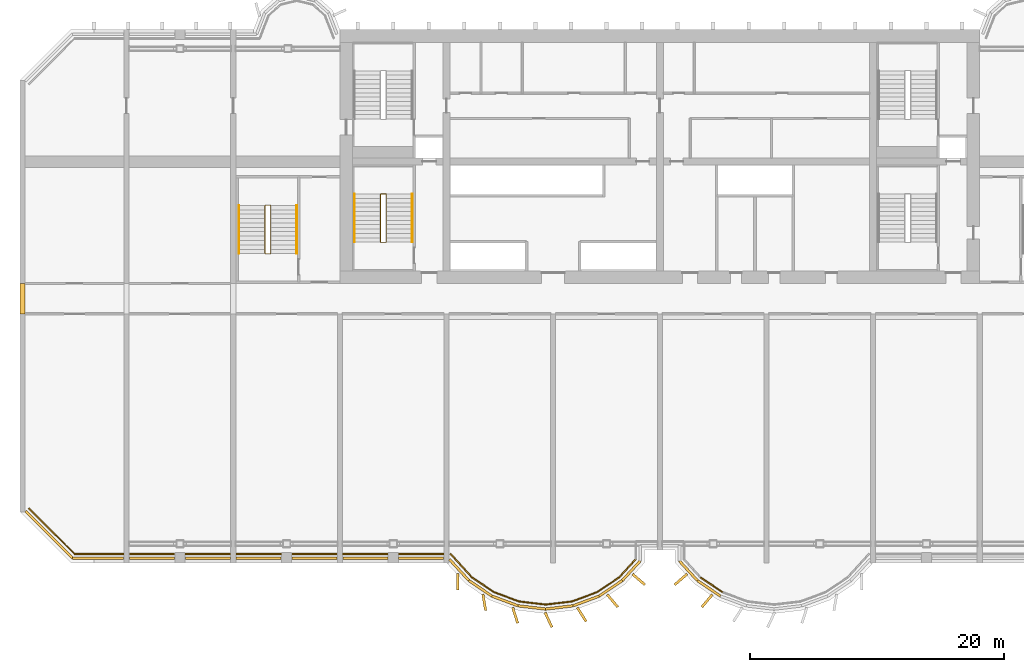
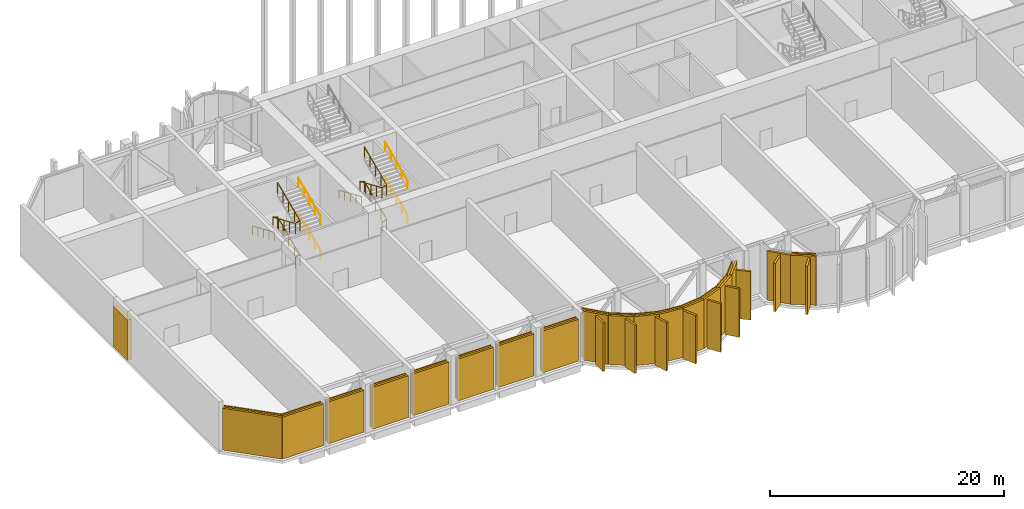
# One storey, part 14 of 17: 26 coverings, 19 shading devices, 8 railings.
"""IFC4 building model written with IfcOpenShell, lengths in metres."""

from ifc_helpers import new_model, si_unit, direction, frame, origin, origin_2d, place, context, subcontext, project, spatial, rectangle, circle, extrude, source, transform, mapped, material, layer, layer_set, material_profile, profile_set, type_object, element, save


model = new_model("IFC4")

# Units and contexts
model_context = context("Model", 3, precision=1e-05, world=origin(), true_north=direction((0.0, 1.0)))
body_context = subcontext(model_context, "Body", "Model", "MODEL_VIEW")
ifc_project = project(units=[si_unit("LENGTHUNIT", "METRE"), si_unit("AREAUNIT", "SQUARE_METRE"), si_unit("VOLUMEUNIT", "CUBIC_METRE"), si_unit("PLANEANGLEUNIT", "RADIAN"), si_unit("MASSUNIT", "GRAM", prefix="KILO")], contexts=[model_context])

# Site, building, storey
site_placement = place(None, origin())
site = spatial("IfcSite", under=ifc_project, at=site_placement, CompositionType="ELEMENT")
building_placement = place(site_placement, origin())
building = spatial("IfcBuilding", under=site, at=building_placement, Name="Vanashikhar Sky Hotel", CompositionType="ELEMENT")
storey_placement = place(building_placement, frame((0.0, 0.0, 81.0)))
storey = spatial("IfcBuildingStorey", under=building, at=storey_placement, Name="L19", CompositionType="ELEMENT", Elevation=81.0)

# Shading devices
ifc_material_1 = material(Name="Aluminium", Category="aluminium")
ifc_layer_1 = layer(ifc_material_1, 0.199951171875)
ifc_layer_set_1 = layer_set([ifc_layer_1], Name="Aluminium louvre band")
shading_device_type = type_object("IfcShadingDeviceType", Name="Aluminium louvre band", PredefinedType="USERDEFINED", material=ifc_layer_set_1)
shared_shape_1 = source(origin(), body_context, "Body", "SweptSolid", [
    extrude(rectangle(XDim=4.02490234375, YDim=0.199951171875, at=origin_2d()), origin(), (0.0, 0.0, 1.0), 4.3701171875),
])
shading_device_1_placement = place(storey_placement, frame((6.157470703125, 0.35009765625, 0.0), z_axis=(0.0, 0.0, 1.0), x_axis=(1.0, 0.0, 0.0)))
element("IfcShadingDevice", 1, at=shading_device_1_placement, inside=storey, type_object=shading_device_type, Name="Louvre band", ObjectType="LOUVRE", PredefinedType="USERDEFINED", context=body_context, shape_type="MappedRepresentation", body=[
    mapped(shared_shape_1, transform((0.0, 0.0, 0.0), scale=1.0)),
])
shared_shape_2 = source(origin(), body_context, "Body", "SweptSolid", [
    extrude(rectangle(XDim=3.5400390625, YDim=0.199951171875, at=origin_2d()), origin(), (0.0, 0.0, 1.0), 4.3701171875),
])
for number, where, z_axis, x_axis, name in (
    (2, (10.39990234375, 0.35009765625, 0.0), (0.0, 0.0, 1.0), (1.0, 0.0, 0.0), "Louvre band"),
    (3, (14.800048828125, 0.35009765625, 0.0), (0.0, 0.0, 1.0), (1.0, 0.0, 0.0), "Louvre band"),
    (4, (18.800048828125, 0.35009765625, 0.0), (0.0, 0.0, 1.0), (1.0, 0.0, 0.0), "Louvre band"),
    (5, (23.199951171875, 0.35009765625, 0.0), (0.0, 0.0, 1.0), (1.0, 0.0, 0.0), "Louvre band"),
    (6, (27.199951171875, 0.35009765625, 0.0), (0.0, 0.0, 1.0), (1.0, 0.0, 0.0), "Louvre band"),
    (7, (31.60009765625, 0.35009765625, 0.0), (0.0, 0.0, 1.0), (1.0, 0.0, 0.0), "Louvre band"),
):
    element("IfcShadingDevice", number, at=place(storey_placement, frame(where, z_axis=z_axis, x_axis=x_axis)), inside=storey, type_object=shading_device_type, Name=name, ObjectType="LOUVRE", PredefinedType="USERDEFINED", context=body_context, shape_type="MappedRepresentation", body=[
        mapped(shared_shape_2, transform((0.0, 0.0, 0.0), scale=1.0)),
    ])
shared_shape_3 = source(origin(), body_context, "Body", "SweptSolid", [
    extrude(rectangle(XDim=2.27001953125, YDim=0.199951171875, at=origin_2d()), origin(), (0.0, 0.0, 1.0), 5.1201171875),
])
shading_device_2_placement = place(storey_placement, frame((34.596435546875, -0.56982421875, 0.0), z_axis=(0.0, 0.0, 1.0), x_axis=(0.675358551774, -0.737489543347, 0.0)))
element("IfcShadingDevice", 8, at=shading_device_2_placement, inside=storey, type_object=shading_device_type, Name="Louvre band", ObjectType="LOUVRE", PredefinedType="USERDEFINED", context=body_context, shape_type="MappedRepresentation", body=[
    mapped(shared_shape_3, transform((0.0, 0.0, 0.0), scale=1.0)),
])
shared_shape_4 = source(origin(), body_context, "Body", "SweptSolid", [
    extrude(rectangle(XDim=2.1875, YDim=0.199951171875, at=origin_2d()), origin(), (0.0, 0.0, 1.0), 5.1201171875),
])
for number, where, z_axis, x_axis, name in (
    (9, (36.2705078125, -2.017578125, 0.0), (0.0, 0.0, 1.0), (0.829583722896, -0.558382348132, 0.0), "Louvre band"),
    (10, (38.203125, -3.0087890625, 0.0), (0.0, 0.0, 1.0), (0.937537254303, -0.347884890149, 0.0), "Louvre band"),
    (11, (44.5966796875, -3.0087890625, 0.0), (0.0, 0.0, 1.0), (0.937537254303, 0.347884890149, 0.0), "Louvre band"),
    (12, (46.529541015625, -2.017578125, 0.0), (0.0, 0.0, 1.0), (0.829583722896, 0.558382348132, 0.0), "Louvre band"),
    (13, (54.2705078125, -2.017578125, 0.0), (0.0, 0.0, 1.0), (0.829583722896, -0.558382348132, 0.0), "Louvre band"),
):
    element("IfcShadingDevice", number, at=place(storey_placement, frame(where, z_axis=z_axis, x_axis=x_axis)), inside=storey, type_object=shading_device_type, Name=name, ObjectType="LOUVRE", PredefinedType="USERDEFINED", context=body_context, shape_type="MappedRepresentation", body=[
        mapped(shared_shape_4, transform((0.0, 0.0, 0.0), scale=1.0)),
    ])
shared_shape_5 = source(origin(), body_context, "Body", "SweptSolid", [
    extrude(rectangle(XDim=2.1865234375, YDim=0.199951171875, at=origin_2d()), origin(), (0.0, 0.0, 1.0), 5.1201171875),
])
for number, where, z_axis, x_axis, name in (
    (14, (40.314453125, -3.5185546875, 0.0), (0.0, 0.0, 1.0), (0.993008838731, -0.118040019495, 0.0), "Louvre band"),
    (15, (42.485595703125, -3.5185546875, 0.0), (0.0, 0.0, 1.0), (0.993008838731, 0.118040019495, 0.0), "Louvre band"),
):
    element("IfcShadingDevice", number, at=place(storey_placement, frame(where, z_axis=z_axis, x_axis=x_axis)), inside=storey, type_object=shading_device_type, Name=name, ObjectType="LOUVRE", PredefinedType="USERDEFINED", context=body_context, shape_type="MappedRepresentation", body=[
        mapped(shared_shape_5, transform((0.0, 0.0, 0.0), scale=1.0)),
    ])
shared_shape_6 = source(origin(), body_context, "Body", "SweptSolid", [
    extrude(rectangle(XDim=2.09228515625, YDim=0.199951171875, at=origin_2d()), origin(), (0.0, 0.0, 1.0), 5.1201171875),
])
for number, where, z_axis, x_axis, name in (
    (16, (48.1435546875, -0.635498046875, 0.0), (0.0, 0.0, 1.0), (0.675384294604, 0.737465968437, 0.0), "Louvre band"),
    (17, (52.656494140625, -0.635498046875, 0.0), (0.0, 0.0, 1.0), (0.675384294604, -0.737465968437, 0.0), "Louvre band"),
):
    element("IfcShadingDevice", number, at=place(storey_placement, frame(where, z_axis=z_axis, x_axis=x_axis)), inside=storey, type_object=shading_device_type, Name=name, ObjectType="LOUVRE", PredefinedType="USERDEFINED", context=body_context, shape_type="MappedRepresentation", body=[
        mapped(shared_shape_6, transform((0.0, 0.0, 0.0), scale=1.0)),
    ])
shared_shape_7 = source(origin(), body_context, "Body", "SweptSolid", [
    extrude(rectangle(XDim=5.25390625, YDim=0.199951171875, at=origin_2d()), origin(), (0.0, 0.0, 1.0), 4.3701171875),
])
shading_device_3_placement = place(storey_placement, frame((2.28759765625, 2.20751953125, 0.0), z_axis=(0.0, 0.0, 1.0), x_axis=(0.707106781187, -0.707106781187, 0.0)))
element("IfcShadingDevice", 18, at=shading_device_3_placement, inside=storey, type_object=shading_device_type, Name="Louvre band", ObjectType="LOUVRE", PredefinedType="USERDEFINED", context=body_context, shape_type="MappedRepresentation", body=[
    mapped(shared_shape_7, transform((0.0, 0.0, 0.0), scale=1.0)),
])

# Coverings
ifc_material_2 = material(Name="Concrete M40", Category="concrete")
ifc_layer_2 = layer(ifc_material_2, 0.10009765625)
ifc_layer_set_2 = layer_set([ifc_layer_2], Name="Plant floor cladding panel")
covering_type_1 = type_object("IfcCoveringType", Name="Plant floor cladding panel", PredefinedType="CLADDING", material=ifc_layer_set_2)
shared_shape_8 = source(origin(), body_context, "Body", "SweptSolid", [
    extrude(rectangle(XDim=3.880126953125, YDim=0.10009765625, at=origin_2d()), origin(), (0.0, 0.0, 1.0), 4.3701171875),
])
covering_1_placement = place(storey_placement, frame((6.22998046875, 0.699951171875, 0.0), z_axis=(0.0, 0.0, 1.0), x_axis=(1.0, 0.0, 0.0)))
element("IfcCovering", 19, at=covering_1_placement, inside=storey, type_object=covering_type_1, Name="Plant floor cladding panel", PredefinedType="CLADDING", context=body_context, shape_type="MappedRepresentation", body=[
    mapped(shared_shape_8, transform((0.0, 0.0, 0.0), scale=1.0)),
])
shared_shape_9 = source(origin(), body_context, "Body", "SweptSolid", [
    extrude(rectangle(XDim=3.5400390625, YDim=0.10009765625, at=origin_2d()), origin(), (0.0, 0.0, 1.0), 4.3701171875),
])
for number, where, z_axis, x_axis, name in (
    (20, (10.39990234375, 0.699951171875, 0.0), (0.0, 0.0, 1.0), (1.0, 0.0, 0.0), "Plant floor cladding panel"),
    (21, (14.800048828125, 0.699951171875, 0.0), (0.0, 0.0, 1.0), (1.0, 0.0, 0.0), "Plant floor cladding panel"),
    (22, (18.800048828125, 0.699951171875, 0.0), (0.0, 0.0, 1.0), (1.0, 0.0, 0.0), "Plant floor cladding panel"),
    (23, (23.199951171875, 0.699951171875, 0.0), (0.0, 0.0, 1.0), (1.0, 0.0, 0.0), "Plant floor cladding panel"),
    (24, (27.199951171875, 0.699951171875, 0.0), (0.0, 0.0, 1.0), (1.0, 0.0, 0.0), "Plant floor cladding panel"),
    (25, (31.60009765625, 0.699951171875, 0.0), (0.0, 0.0, 1.0), (1.0, 0.0, 0.0), "Plant floor cladding panel"),
):
    element("IfcCovering", number, at=place(storey_placement, frame(where, z_axis=z_axis, x_axis=x_axis)), inside=storey, type_object=covering_type_1, Name=name, PredefinedType="CLADDING", context=body_context, shape_type="MappedRepresentation", body=[
        mapped(shared_shape_9, transform((0.0, 0.0, 0.0), scale=1.0)),
    ])
shared_shape_10 = source(origin(), body_context, "Body", "SweptSolid", [
    extrude(rectangle(XDim=2.49462890625, YDim=0.10009765625, at=origin_2d()), origin(), (0.0, 0.0, 1.0), 5.1201171875),
])
covering_2_placement = place(storey_placement, frame((34.75048828125, -0.219970703125, 0.0), z_axis=(0.0, 0.0, 1.0), x_axis=(0.675384294604, -0.737465968437, 0.0)))
element("IfcCovering", 26, at=covering_2_placement, inside=storey, type_object=covering_type_1, Name="Plant floor cladding panel", PredefinedType="CLADDING", context=body_context, shape_type="MappedRepresentation", body=[
    mapped(shared_shape_10, transform((0.0, 0.0, 0.0), scale=1.0)),
])
shared_shape_11 = source(origin(), body_context, "Body", "SweptSolid", [
    extrude(rectangle(XDim=2.104248046875, YDim=0.10009765625, at=origin_2d()), origin(), (0.0, 0.0, 1.0), 5.1201171875),
])
for number, where, z_axis, x_axis, name in (
    (27, (36.4658203125, -1.727294921875, 0.0), (0.0, 0.0, 1.0), (0.829603213612, -0.558353389857, 0.0), "Plant floor cladding panel"),
    (28, (46.334228515625, -1.727294921875, 0.0), (0.0, 0.0, 1.0), (0.829603213612, 0.558353389857, 0.0), "Plant floor cladding panel"),
    (29, (54.4658203125, -1.727294921875, 0.0), (0.0, 0.0, 1.0), (0.829603213612, -0.558353389857, 0.0), "Plant floor cladding panel"),
):
    element("IfcCovering", number, at=place(storey_placement, frame(where, z_axis=z_axis, x_axis=x_axis)), inside=storey, type_object=covering_type_1, Name=name, PredefinedType="CLADDING", context=body_context, shape_type="MappedRepresentation", body=[
        mapped(shared_shape_11, transform((0.0, 0.0, 0.0), scale=1.0)),
    ])
shared_shape_12 = source(origin(), body_context, "Body", "SweptSolid", [
    extrude(rectangle(XDim=2.10400390625, YDim=0.10009765625, at=origin_2d()), origin(), (0.0, 0.0, 1.0), 5.1201171875),
])
for number, where, z_axis, x_axis, name in (
    (30, (38.3251953125, -2.6806640625, 0.0), (0.0, 0.0, 1.0), (0.937537254303, -0.347884890149, 0.0), "Plant floor cladding panel"),
    (31, (44.474853515625, -2.6806640625, 0.0), (0.0, 0.0, 1.0), (0.937537254303, 0.347884890149, 0.0), "Plant floor cladding panel"),
):
    element("IfcCovering", number, at=place(storey_placement, frame(where, z_axis=z_axis, x_axis=x_axis)), inside=storey, type_object=covering_type_1, Name=name, PredefinedType="CLADDING", context=body_context, shape_type="MappedRepresentation", body=[
        mapped(shared_shape_12, transform((0.0, 0.0, 0.0), scale=1.0)),
    ])
shared_shape_13 = source(origin(), body_context, "Body", "SweptSolid", [
    extrude(rectangle(XDim=2.103271484375, YDim=0.10009765625, at=origin_2d()), origin(), (0.0, 0.0, 1.0), 5.1201171875),
])
for number, where, z_axis, x_axis, name in (
    (32, (40.355712890625, -3.1708984375, 0.0), (0.0, 0.0, 1.0), (0.993002656809, -0.118092013154, 0.0), "Plant floor cladding panel"),
    (33, (42.4443359375, -3.1708984375, 0.0), (0.0, 0.0, 1.0), (0.993002656809, 0.118092013154, 0.0), "Plant floor cladding panel"),
):
    element("IfcCovering", number, at=place(storey_placement, frame(where, z_axis=z_axis, x_axis=x_axis)), inside=storey, type_object=covering_type_1, Name=name, PredefinedType="CLADDING", context=body_context, shape_type="MappedRepresentation", body=[
        mapped(shared_shape_13, transform((0.0, 0.0, 0.0), scale=1.0)),
    ])
shared_shape_14 = source(origin(), body_context, "Body", "SweptSolid", [
    extrude(rectangle(XDim=1.91455078125, YDim=0.10009765625, at=origin_2d()), origin(), (0.0, 0.0, 1.0), 5.1201171875),
])
covering_3_placement = place(storey_placement, frame((47.853515625, -0.433837890625, 0.0), z_axis=(0.0, 0.0, 1.0), x_axis=(0.675371423292, 0.737477756004, 0.0)))
element("IfcCovering", 34, at=covering_3_placement, inside=storey, type_object=covering_type_1, Name="Plant floor cladding panel", PredefinedType="CLADDING", context=body_context, shape_type="MappedRepresentation", body=[
    mapped(shared_shape_14, transform((0.0, 0.0, 0.0), scale=1.0)),
])
shared_shape_15 = source(origin(), body_context, "Body", "SweptSolid", [
    extrude(rectangle(XDim=5.076904296875, YDim=0.10009765625, at=origin_2d()), origin(), (0.0, 0.0, 1.0), 4.3701171875),
])
covering_4_placement = place(storey_placement, frame((2.4951171875, 2.4951171875, 0.0), z_axis=(0.0, 0.0, 1.0), x_axis=(0.707106781187, -0.707106781187, 0.0)))
element("IfcCovering", 35, at=covering_4_placement, inside=storey, type_object=covering_type_1, Name="Plant floor cladding panel", PredefinedType="CLADDING", context=body_context, shape_type="MappedRepresentation", body=[
    mapped(shared_shape_15, transform((0.0, 0.0, 0.0), scale=1.0)),
])

# Shading device
shared_shape_16 = source(origin(), body_context, "Body", "SweptSolid", [
    extrude(rectangle(XDim=0.39990234375, YDim=2.39990234375, at=origin_2d()), origin(), (0.0, 0.0, 1.0), 4.219970703125),
])
shading_device_4_placement = place(storey_placement, frame((0.199951171875, 20.800048828125, 0.0), z_axis=(0.0, 0.0, 1.0), x_axis=(1.0, 0.0, 0.0)))
element("IfcShadingDevice", 36, at=shading_device_4_placement, inside=storey, type_object=shading_device_type, Name="Louvre band", ObjectType="LOUVRE", PredefinedType="USERDEFINED", context=body_context, shape_type="MappedRepresentation", body=[
    mapped(shared_shape_16, transform((0.0, 0.0, 0.0), scale=1.0)),
])

# Coverings
ifc_material_3 = material(Name="Concrete M60 dark", Category="concrete")
ifc_material_profile = material_profile(ifc_material_3, rectangle(XDim=1.300048828125, YDim=0.199951171875, at=origin_2d()))
ifc_profile_set = profile_set([ifc_material_profile], Name="Fin 1300 x 200")
covering_type_2 = type_object("IfcCoveringType", Name="Fin 1300 x 200", PredefinedType="CLADDING", material=ifc_profile_set)
shared_shape_17 = source(origin(), body_context, "Body", "SweptSolid", [
    extrude(rectangle(XDim=1.300048828125, YDim=0.199951171875, at=origin_2d()), origin(), (0.0, 0.0, 1.0), 5.050048828125),
])
for number, where, z_axis, x_axis, name in (
    (37, (34.482421875, -1.507080078125, 0.0), (0.0, 0.0, 1.0), (0.011588726826, -0.999932848451, 0.0), "Fin F1-1"),
    (38, (36.572509765625, -3.1220703125, 0.0), (0.0, 0.0, 1.0), (0.16989991575, -0.985461322746, 0.0), "Fin F1-2"),
    (39, (39.00830078125, -4.14306640625, 0.0), (0.0, 0.0, 1.0), (0.303966551867, -0.952682704444, 0.0), "Fin F1-3"),
    (40, (41.63232421875, -4.49853515625, 0.0), (0.0, 0.0, 1.0), (0.422618261741, -0.906307787037, 0.0), "Fin F1-4"),
    (41, (44.251953125, -4.083984375, 0.0), (0.0, 0.0, 1.0), (0.534411358496, -0.845224526331, 0.0), "Fin F1-5"),
    (42, (46.676025390625, -3.0, 0.0), (0.0, 0.0, 1.0), (0.645697609467, -0.763593214433, 0.0), "Fin F1-6"),
    (43, (48.7412109375, -1.3154296875, 0.0), (0.0, 0.0, 1.0), (0.758543912032, -0.65162192529, 0.0), "Fin F1-7"),
    (44, (52.058837890625, -1.3154296875, 0.0), (0.0, 0.0, 1.0), (-0.758543912032, -0.65162192529, 0.0), "Fin F2-1"),
    (45, (54.123779296875, -3.0, 0.0), (0.0, 0.0, 1.0), (-0.645697609467, -0.763593214433, 0.0), "Fin F2-2"),
):
    element("IfcCovering", number, at=place(storey_placement, frame(where, z_axis=z_axis, x_axis=x_axis)), inside=storey, type_object=covering_type_2, Name=name, PredefinedType="CLADDING", context=body_context, shape_type="MappedRepresentation", body=[
        mapped(shared_shape_17, transform((0.0, 0.0, 0.0), scale=1.0)),
    ])

# Railings
ifc_material_4 = material(Name="Steel S355", Category="steel")
railing_type_1 = type_object("IfcRailingType", Name="Stair handrail 900", PredefinedType="HANDRAIL", material=ifc_material_4)
shared_shape_18 = source(origin(), body_context, "Body", "SweptSolid", [
    extrude(circle(Radius=0.02392578125, at=origin_2d()), frame((0.0, 0.0, 0.8759765625), z_axis=(0.0, -0.917250781605, 0.398310185215), x_axis=(1.0, 0.0, 0.0)), (0.0, 0.0, 1.0), 4.142822265625),
    extrude(circle(Radius=0.02099609375, at=origin_2d()), origin(), (0.0, 0.0, 1.0), 0.851806640625),
    extrude(circle(Radius=0.02099609375, at=origin_2d()), frame((0.0, -0.949951171875, 0.41259765625)), (0.0, 0.0, 1.0), 0.851806640625),
    extrude(circle(Radius=0.02099609375, at=origin_2d()), frame((0.0, -1.89990234375, 0.8251953125)), (0.0, 0.0, 1.0), 0.851806640625),
    extrude(circle(Radius=0.02099609375, at=origin_2d()), frame((0.0, -2.85009765625, 1.237548828125)), (0.0, 0.0, 1.0), 0.851806640625),
    extrude(circle(Radius=0.02099609375, at=origin_2d()), frame((0.0, -3.800048828125, 1.650146484375)), (0.0, 0.0, 1.0), 0.851806640625),
])
railing_1_placement = place(storey_placement, frame((26.35009765625, 29.050048828125, 1.949951171875)))
element("IfcRailing", 46, at=railing_1_placement, inside=storey, type_object=railing_type_1, Name="Exit stair 1 handrail", PredefinedType="HANDRAIL", context=body_context, shape_type="MappedRepresentation", body=[
    mapped(shared_shape_18, transform((0.0, 0.0, 0.0), scale=1.0)),
])
shared_shape_19 = source(origin(), body_context, "Body", "SweptSolid", [
    extrude(circle(Radius=0.02392578125, at=origin_2d()), frame((0.0, 0.0, 0.8759765625), z_axis=(0.0, 0.917250781605, 0.398310185215), x_axis=(-1.0, 0.0, 0.0)), (0.0, 0.0, 1.0), 4.142822265625),
    extrude(circle(Radius=0.02099609375, at=origin_2d()), origin(), (0.0, 0.0, 1.0), 0.851806640625),
    extrude(circle(Radius=0.02099609375, at=origin_2d()), frame((0.0, 0.949951171875, 0.41259765625)), (0.0, 0.0, 1.0), 0.851806640625),
    extrude(circle(Radius=0.02099609375, at=origin_2d()), frame((0.0, 1.89990234375, 0.8251953125)), (0.0, 0.0, 1.0), 0.851806640625),
    extrude(circle(Radius=0.02099609375, at=origin_2d()), frame((0.0, 2.85009765625, 1.237548828125)), (0.0, 0.0, 1.0), 0.851806640625),
    extrude(circle(Radius=0.02099609375, at=origin_2d()), frame((0.0, 3.800048828125, 1.650146484375)), (0.0, 0.0, 1.0), 0.851806640625),
])
railing_2_placement = place(storey_placement, frame((30.89990234375, 25.25, 0.14990234375)))
element("IfcRailing", 47, at=railing_2_placement, inside=storey, type_object=railing_type_1, Name="Exit stair 1 handrail", PredefinedType="HANDRAIL", context=body_context, shape_type="MappedRepresentation", body=[
    mapped(shared_shape_19, transform((0.0, 0.0, 0.0), scale=1.0)),
])
railing_type_2 = type_object("IfcRailingType", Name="Stair guard 1100", PredefinedType="GUARDRAIL", material=ifc_material_4)
shared_shape_20 = source(origin(), body_context, "Body", "SweptSolid", [
    extrude(circle(Radius=0.02392578125, at=origin_2d()), frame((0.0, 0.0, 1.076171875), z_axis=(0.948786153043, 0.0, 0.315919033605), x_axis=(0.0, 1.0, 0.0)), (0.0, 0.0, 1.0), 0.474609375),
    extrude(circle(Radius=0.02392578125, at=origin_2d()), frame((0.4501953125, 0.0, 1.22607421875), z_axis=(0.0, 0.917250781605, 0.398310185215), x_axis=(-1.0, 0.0, 0.0)), (0.0, 0.0, 1.0), 4.142822265625),
    extrude(circle(Radius=0.02392578125, at=origin_2d()), frame((0.4501953125, 3.800048828125, 2.8759765625), z_axis=(-0.948786153043, 0.0, 0.315919033605), x_axis=(0.0, -1.0, 0.0)), (0.0, 0.0, 1.0), 0.474609375),
    extrude(circle(Radius=0.02392578125, at=origin_2d()), frame((0.0, 3.800048828125, 3.02587890625), z_axis=(0.0, -0.917250781605, 0.398310185215), x_axis=(1.0, 0.0, 0.0)), (0.0, 0.0, 1.0), 4.142822265625),
    extrude(circle(Radius=0.02392578125, at=origin_2d()), frame((0.0, 0.0, 4.67626953125), z_axis=(0.948786153043, 0.0, 0.315919033605), x_axis=(0.0, 1.0, 0.0)), (0.0, 0.0, 1.0), 0.474609375),
    extrude(circle(Radius=0.02392578125, at=origin_2d()), frame((0.4501953125, 0.0, 4.826171875), z_axis=(0.0, 0.91727231099, 0.398260602484), x_axis=(-1.0, 0.0, 0.0)), (0.0, 0.0, 1.0), 4.142822265625),
    extrude(circle(Radius=0.02099609375, at=origin_2d()), origin(), (0.0, 0.0, 1.0), 1.052001953125),
    extrude(circle(Radius=0.02099609375, at=origin_2d()), frame((0.4501953125, 0.0, 0.14990234375)), (0.0, 0.0, 1.0), 1.052001953125),
    extrude(circle(Radius=0.02099609375, at=origin_2d()), frame((0.4501953125, 0.949951171875, 0.5625)), (0.0, 0.0, 1.0), 1.052001953125),
    extrude(circle(Radius=0.02099609375, at=origin_2d()), frame((0.4501953125, 1.89990234375, 0.97509765625)), (0.0, 0.0, 1.0), 1.052001953125),
    extrude(circle(Radius=0.02099609375, at=origin_2d()), frame((0.4501953125, 2.85009765625, 1.387451171875)), (0.0, 0.0, 1.0), 1.052001953125),
    extrude(circle(Radius=0.02099609375, at=origin_2d()), frame((0.4501953125, 3.800048828125, 1.800048828125)), (0.0, 0.0, 1.0), 1.052001953125),
    extrude(circle(Radius=0.02099609375, at=origin_2d()), frame((0.0, 3.800048828125, 1.949951171875)), (0.0, 0.0, 1.0), 1.052001953125),
    extrude(circle(Radius=0.02099609375, at=origin_2d()), frame((0.0, 2.85009765625, 2.362548828125)), (0.0, 0.0, 1.0), 1.052001953125),
    extrude(circle(Radius=0.02099609375, at=origin_2d()), frame((0.0, 1.89990234375, 2.77490234375)), (0.0, 0.0, 1.0), 1.052001953125),
    extrude(circle(Radius=0.02099609375, at=origin_2d()), frame((0.0, 0.949951171875, 3.1875)), (0.0, 0.0, 1.0), 1.052001953125),
    extrude(circle(Radius=0.02099609375, at=origin_2d()), frame((0.0, 0.0, 3.60009765625)), (0.0, 0.0, 1.0), 1.052001953125),
    extrude(circle(Radius=0.02099609375, at=origin_2d()), frame((0.4501953125, 0.0, 3.75)), (0.0, 0.0, 1.0), 1.052001953125),
    extrude(circle(Radius=0.02099609375, at=origin_2d()), frame((0.4501953125, 0.949951171875, 4.16259765625)), (0.0, 0.0, 1.0), 1.052001953125),
    extrude(circle(Radius=0.02099609375, at=origin_2d()), frame((0.4501953125, 1.89990234375, 4.574951171875)), (0.0, 0.0, 1.0), 1.052001953125),
    extrude(circle(Radius=0.02099609375, at=origin_2d()), frame((0.4501953125, 2.85009765625, 4.9873046875)), (0.0, 0.0, 1.0), 1.052001953125),
    extrude(circle(Radius=0.02099609375, at=origin_2d()), frame((0.4501953125, 3.800048828125, 5.39990234375)), (0.0, 0.0, 1.0), 1.052001953125),
])
railing_3_placement = place(storey_placement, frame((28.39990234375, 25.25, 0.0)))
element("IfcRailing", 48, at=railing_3_placement, inside=storey, type_object=railing_type_2, Name="Exit stair 1 guard", PredefinedType="GUARDRAIL", context=body_context, shape_type="MappedRepresentation", body=[
    mapped(shared_shape_20, transform((0.0, 0.0, 0.0), scale=1.0)),
])
shared_shape_21 = source(origin(), body_context, "Body", "SweptSolid", [
    extrude(circle(Radius=0.02392578125, at=origin_2d()), frame((0.0, 0.0, 0.8759765625), z_axis=(0.0, 0.91727231099, 0.398260602484), x_axis=(-1.0, 0.0, 0.0)), (0.0, 0.0, 1.0), 4.142822265625),
    extrude(circle(Radius=0.02099609375, at=origin_2d()), origin(), (0.0, 0.0, 1.0), 0.851806640625),
    extrude(circle(Radius=0.02099609375, at=origin_2d()), frame((0.0, 0.949951171875, 0.41259765625)), (0.0, 0.0, 1.0), 0.851806640625),
    extrude(circle(Radius=0.02099609375, at=origin_2d()), frame((0.0, 1.89990234375, 0.824951171875)), (0.0, 0.0, 1.0), 0.851806640625),
    extrude(circle(Radius=0.02099609375, at=origin_2d()), frame((0.0, 2.85009765625, 1.2373046875)), (0.0, 0.0, 1.0), 0.851806640625),
    extrude(circle(Radius=0.02099609375, at=origin_2d()), frame((0.0, 3.800048828125, 1.64990234375)), (0.0, 0.0, 1.0), 0.851806640625),
])
railing_4_placement = place(storey_placement, frame((30.89990234375, 25.25, 3.75)))
element("IfcRailing", 49, at=railing_4_placement, inside=storey, type_object=railing_type_1, Name="Exit stair 1 handrail", PredefinedType="HANDRAIL", context=body_context, shape_type="MappedRepresentation", body=[
    mapped(shared_shape_21, transform((0.0, 0.0, 0.0), scale=1.0)),
])
shared_shape_22 = source(origin(), body_context, "Body", "SweptSolid", [
    extrude(circle(Radius=0.02392578125, at=origin_2d()), frame((0.0, 0.0, 0.8759765625), z_axis=(0.0, -0.917241431489, 0.398331716489), x_axis=(1.0, 0.0, 0.0)), (0.0, 0.0, 1.0), 4.142578125),
    extrude(circle(Radius=0.02099609375, at=origin_2d()), origin(), (0.0, 0.0, 1.0), 0.851806640625),
    extrude(circle(Radius=0.02099609375, at=origin_2d()), frame((0.0, -0.949951171875, 0.41259765625)), (0.0, 0.0, 1.0), 0.851806640625),
    extrude(circle(Radius=0.02099609375, at=origin_2d()), frame((0.0, -1.89990234375, 0.8251953125)), (0.0, 0.0, 1.0), 0.851806640625),
    extrude(circle(Radius=0.02099609375, at=origin_2d()), frame((0.0, -2.849853515625, 1.237548828125)), (0.0, 0.0, 1.0), 0.851806640625),
    extrude(circle(Radius=0.02099609375, at=origin_2d()), frame((0.0, -3.7998046875, 1.650146484375)), (0.0, 0.0, 1.0), 0.851806640625),
])
railing_5_placement = place(storey_placement, frame((17.25, 28.14990234375, 1.949951171875)))
element("IfcRailing", 50, at=railing_5_placement, inside=storey, type_object=railing_type_1, Name="Exit stair 3 handrail", PredefinedType="HANDRAIL", context=body_context, shape_type="MappedRepresentation", body=[
    mapped(shared_shape_22, transform((0.0, 0.0, 0.0), scale=1.0)),
])
shared_shape_23 = source(origin(), body_context, "Body", "SweptSolid", [
    extrude(circle(Radius=0.02392578125, at=origin_2d()), frame((0.0, 0.0, 0.8759765625), z_axis=(0.0, 0.917241431489, 0.398331716489), x_axis=(-1.0, 0.0, 0.0)), (0.0, 0.0, 1.0), 4.142578125),
    extrude(circle(Radius=0.02099609375, at=origin_2d()), origin(), (0.0, 0.0, 1.0), 0.851806640625),
    extrude(circle(Radius=0.02099609375, at=origin_2d()), frame((0.0, 0.949951171875, 0.41259765625)), (0.0, 0.0, 1.0), 0.851806640625),
    extrude(circle(Radius=0.02099609375, at=origin_2d()), frame((0.0, 1.89990234375, 0.8251953125)), (0.0, 0.0, 1.0), 0.851806640625),
    extrude(circle(Radius=0.02099609375, at=origin_2d()), frame((0.0, 2.849853515625, 1.237548828125)), (0.0, 0.0, 1.0), 0.851806640625),
    extrude(circle(Radius=0.02099609375, at=origin_2d()), frame((0.0, 3.7998046875, 1.650146484375)), (0.0, 0.0, 1.0), 0.851806640625),
])
railing_6_placement = place(storey_placement, frame((21.800048828125, 24.35009765625, 0.14990234375)))
element("IfcRailing", 51, at=railing_6_placement, inside=storey, type_object=railing_type_1, Name="Exit stair 3 handrail", PredefinedType="HANDRAIL", context=body_context, shape_type="MappedRepresentation", body=[
    mapped(shared_shape_23, transform((0.0, 0.0, 0.0), scale=1.0)),
])
shared_shape_24 = source(origin(), body_context, "Body", "SweptSolid", [
    extrude(circle(Radius=0.02392578125, at=origin_2d()), frame((0.0, 0.0, 1.076171875), z_axis=(0.948734763221, 0.0, 0.316073328604), x_axis=(0.0, 1.0, 0.0)), (0.0, 0.0, 1.0), 0.474365234375),
    extrude(circle(Radius=0.02392578125, at=origin_2d()), frame((0.449951171875, 0.0, 1.22607421875), z_axis=(0.0, 0.917241431489, 0.398331716489), x_axis=(-1.0, 0.0, 0.0)), (0.0, 0.0, 1.0), 4.142578125),
    extrude(circle(Radius=0.02392578125, at=origin_2d()), frame((0.449951171875, 3.7998046875, 2.8759765625), z_axis=(-0.948734763221, 0.0, 0.316073328604), x_axis=(0.0, -1.0, 0.0)), (0.0, 0.0, 1.0), 0.474365234375),
    extrude(circle(Radius=0.02392578125, at=origin_2d()), frame((0.0, 3.7998046875, 3.02587890625), z_axis=(0.0, -0.917241431489, 0.398331716489), x_axis=(1.0, 0.0, 0.0)), (0.0, 0.0, 1.0), 4.142578125),
    extrude(circle(Radius=0.02392578125, at=origin_2d()), frame((0.0, 0.0, 4.67626953125), z_axis=(0.948734763221, 0.0, 0.316073328604), x_axis=(0.0, 1.0, 0.0)), (0.0, 0.0, 1.0), 0.474365234375),
    extrude(circle(Radius=0.02392578125, at=origin_2d()), frame((0.449951171875, 0.0, 4.826171875), z_axis=(0.0, 0.917262962982, 0.398282132089), x_axis=(-1.0, 0.0, 0.0)), (0.0, 0.0, 1.0), 4.142578125),
    extrude(circle(Radius=0.02099609375, at=origin_2d()), origin(), (0.0, 0.0, 1.0), 1.052001953125),
    extrude(circle(Radius=0.02099609375, at=origin_2d()), frame((0.449951171875, 0.0, 0.14990234375)), (0.0, 0.0, 1.0), 1.052001953125),
    extrude(circle(Radius=0.02099609375, at=origin_2d()), frame((0.449951171875, 0.949951171875, 0.5625)), (0.0, 0.0, 1.0), 1.052001953125),
    extrude(circle(Radius=0.02099609375, at=origin_2d()), frame((0.449951171875, 1.89990234375, 0.97509765625)), (0.0, 0.0, 1.0), 1.052001953125),
    extrude(circle(Radius=0.02099609375, at=origin_2d()), frame((0.449951171875, 2.849853515625, 1.387451171875)), (0.0, 0.0, 1.0), 1.052001953125),
    extrude(circle(Radius=0.02099609375, at=origin_2d()), frame((0.449951171875, 3.7998046875, 1.800048828125)), (0.0, 0.0, 1.0), 1.052001953125),
    extrude(circle(Radius=0.02099609375, at=origin_2d()), frame((0.0, 3.7998046875, 1.949951171875)), (0.0, 0.0, 1.0), 1.052001953125),
    extrude(circle(Radius=0.02099609375, at=origin_2d()), frame((0.0, 2.849853515625, 2.362548828125)), (0.0, 0.0, 1.0), 1.052001953125),
    extrude(circle(Radius=0.02099609375, at=origin_2d()), frame((0.0, 1.89990234375, 2.77490234375)), (0.0, 0.0, 1.0), 1.052001953125),
    extrude(circle(Radius=0.02099609375, at=origin_2d()), frame((0.0, 0.949951171875, 3.1875)), (0.0, 0.0, 1.0), 1.052001953125),
    extrude(circle(Radius=0.02099609375, at=origin_2d()), frame((0.0, 0.0, 3.60009765625)), (0.0, 0.0, 1.0), 1.052001953125),
    extrude(circle(Radius=0.02099609375, at=origin_2d()), frame((0.449951171875, 0.0, 3.75)), (0.0, 0.0, 1.0), 1.052001953125),
    extrude(circle(Radius=0.02099609375, at=origin_2d()), frame((0.449951171875, 0.949951171875, 4.16259765625)), (0.0, 0.0, 1.0), 1.052001953125),
    extrude(circle(Radius=0.02099609375, at=origin_2d()), frame((0.449951171875, 1.89990234375, 4.574951171875)), (0.0, 0.0, 1.0), 1.052001953125),
    extrude(circle(Radius=0.02099609375, at=origin_2d()), frame((0.449951171875, 2.849853515625, 4.9873046875)), (0.0, 0.0, 1.0), 1.052001953125),
    extrude(circle(Radius=0.02099609375, at=origin_2d()), frame((0.449951171875, 3.7998046875, 5.39990234375)), (0.0, 0.0, 1.0), 1.052001953125),
])
railing_7_placement = place(storey_placement, frame((19.300048828125, 24.35009765625, 0.0)))
element("IfcRailing", 52, at=railing_7_placement, inside=storey, type_object=railing_type_2, Name="Exit stair 3 guard", PredefinedType="GUARDRAIL", context=body_context, shape_type="MappedRepresentation", body=[
    mapped(shared_shape_24, transform((0.0, 0.0, 0.0), scale=1.0)),
])
shared_shape_25 = source(origin(), body_context, "Body", "SweptSolid", [
    extrude(circle(Radius=0.02392578125, at=origin_2d()), frame((0.0, 0.0, 0.8759765625), z_axis=(0.0, 0.917262962982, 0.398282132089), x_axis=(-1.0, 0.0, 0.0)), (0.0, 0.0, 1.0), 4.142578125),
    extrude(circle(Radius=0.02099609375, at=origin_2d()), origin(), (0.0, 0.0, 1.0), 0.851806640625),
    extrude(circle(Radius=0.02099609375, at=origin_2d()), frame((0.0, 0.949951171875, 0.41259765625)), (0.0, 0.0, 1.0), 0.851806640625),
    extrude(circle(Radius=0.02099609375, at=origin_2d()), frame((0.0, 1.89990234375, 0.824951171875)), (0.0, 0.0, 1.0), 0.851806640625),
    extrude(circle(Radius=0.02099609375, at=origin_2d()), frame((0.0, 2.849853515625, 1.2373046875)), (0.0, 0.0, 1.0), 0.851806640625),
    extrude(circle(Radius=0.02099609375, at=origin_2d()), frame((0.0, 3.7998046875, 1.64990234375)), (0.0, 0.0, 1.0), 0.851806640625),
])
railing_8_placement = place(storey_placement, frame((21.800048828125, 24.35009765625, 3.75)))
element("IfcRailing", 53, at=railing_8_placement, inside=storey, type_object=railing_type_1, Name="Exit stair 3 handrail", PredefinedType="HANDRAIL", context=body_context, shape_type="MappedRepresentation", body=[
    mapped(shared_shape_25, transform((0.0, 0.0, 0.0), scale=1.0)),
])

save(model, "model.ifc")
